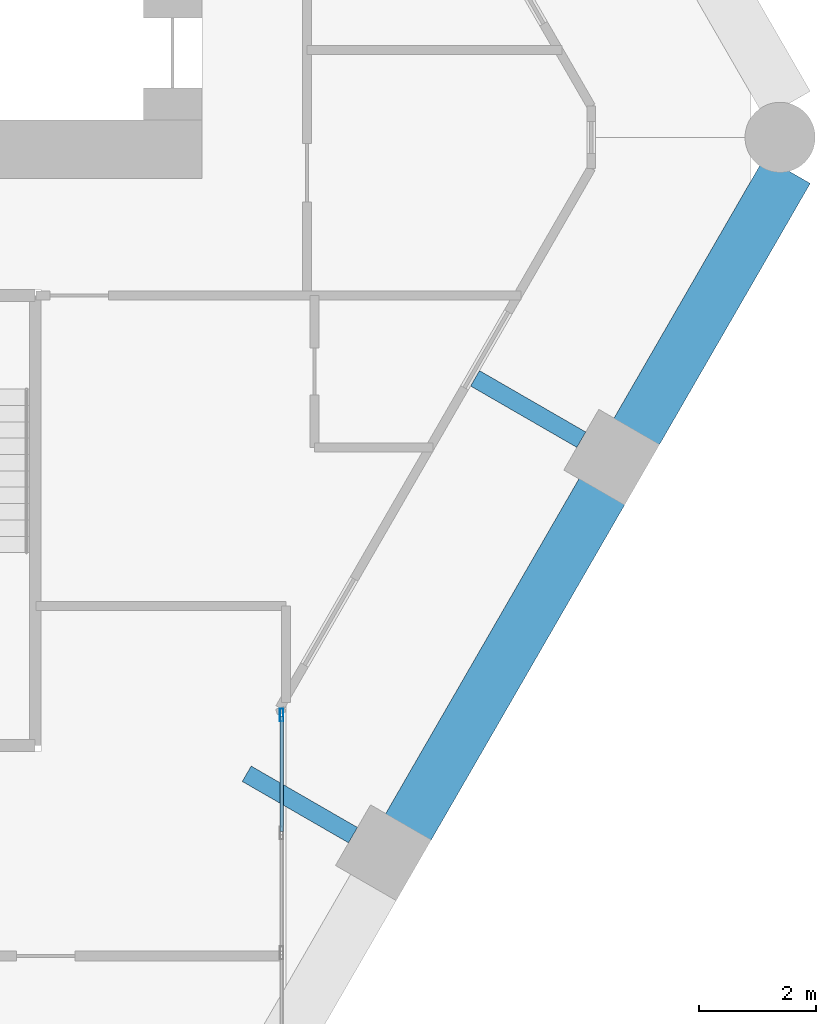
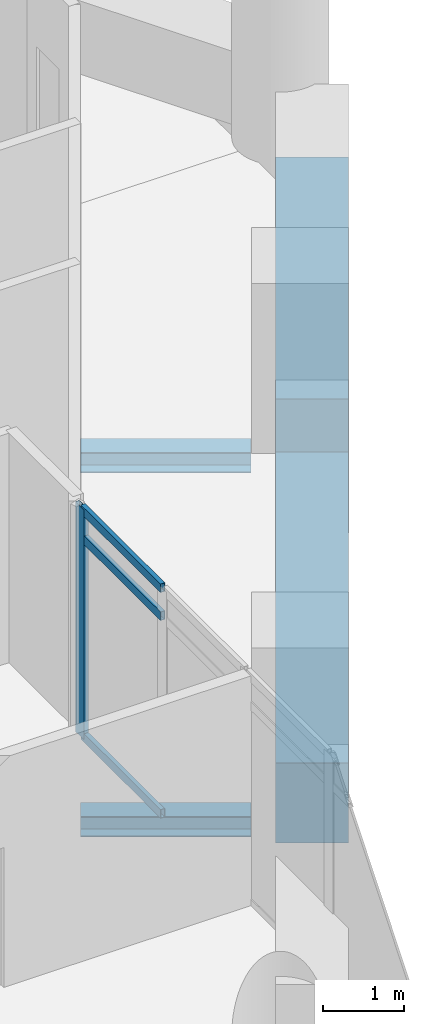
# One storey, part 11 of 28: 4 beams, 4 members, 1 element without a shape of its own.
"""IFC4 building model written with IfcOpenShell, lengths in metres."""

from ifc_helpers import new_model, si_unit, direction, frame, origin, origin_2d, place, context, subcontext, project, spatial, rectangle, hollow_rectangle, i_section, extrude, material, material_profile, profile_set, type_object, element, aggregate, save


model = new_model("IFC4")

# Units and contexts
model_context = context("Model", 3, precision=1e-05, world=origin(), true_north=direction((0.0, 1.0)))
body_context = subcontext(model_context, "Body", "Model", "MODEL_VIEW")
ifc_project = project(units=[si_unit("LENGTHUNIT", "METRE"), si_unit("AREAUNIT", "SQUARE_METRE"), si_unit("VOLUMEUNIT", "CUBIC_METRE"), si_unit("PLANEANGLEUNIT", "RADIAN"), si_unit("MASSUNIT", "GRAM", prefix="KILO")], contexts=[model_context])

# Site, building, storey
site_placement = place(None, origin())
site = spatial("IfcSite", under=ifc_project, at=site_placement, CompositionType="ELEMENT")
building_placement = place(site_placement, origin())
building = spatial("IfcBuilding", under=site, at=building_placement, Name="Ostrander Bayou Hotel Tower", CompositionType="ELEMENT")
storey_placement = place(building_placement, frame((0.0, 0.0, 134.75)))
storey = spatial("IfcBuildingStorey", under=building, at=storey_placement, Name="L33", CompositionType="ELEMENT", Elevation=134.75)

# Curtain wall, members
ifc_material_1 = material(Name="Aluminium and clear glass", Category="aluminium")
curtain_wall_type = type_object("IfcCurtainWallType", Name="CW-BAR glazed wall", PredefinedType="NOTDEFINED", material=ifc_material_1)
curtain_wall_placement = place(storey_placement, origin())
curtain_wall = element("IfcCurtainWall", 1, at=curtain_wall_placement, inside=storey, type_object=curtain_wall_type, Name="CW-BAR L33:SB3S:W", PredefinedType="NOTDEFINED")
ifc_material_2 = material(Name="Aluminium", Category="aluminium")
ifc_material_profile_1 = material_profile(ifc_material_2, hollow_rectangle(XDim=0.06005859375, YDim=0.219970703125, WallThickness=0.00390625, at=origin_2d()))
ifc_profile_set_1 = profile_set([ifc_material_profile_1], Name="Aluminium")
member_type_1 = type_object("IfcMemberType", Name="CW-BR mullion 60 x 220 mm", PredefinedType="MULLION", material=ifc_profile_set_1)
member_1_placement = place(storey_placement, frame((13.3671875, -10.877197265625, 0.0), z_axis=(0.0, 0.0, 1.0), x_axis=(1.0, 0.0, 0.0)))
member_1 = element("IfcMember", 2, at=member_1_placement, type_object=member_type_1, Name="CW-BAR mullion 1", PredefinedType="MULLION", context=body_context, shape_type="SweptSolid", body=[
    extrude(hollow_rectangle(XDim=0.06005859375, YDim=0.219970703125, WallThickness=0.00390625, at=origin_2d()), origin(), (0.0, 0.0, 1.0), 3.449951171875),
])
ifc_material_3 = material(Name="Aluminium", Category="aluminium")
ifc_material_profile_2 = material_profile(ifc_material_3, hollow_rectangle(XDim=0.06005859375, YDim=0.1298828125, WallThickness=0.00390625, at=origin_2d()))
ifc_profile_set_2 = profile_set([ifc_material_profile_2], Name="Aluminium")
member_type_2 = type_object("IfcMemberType", Name="CW-BR transom 60 x 130 mm", PredefinedType="USERDEFINED", material=ifc_profile_set_2)
member_2_placement = place(storey_placement, frame((13.3671875, -10.9072265625, 0.030029296875), z_axis=(0.0, -1.0, 0.0), x_axis=(1.0, 0.0, 0.0)))
member_2 = element("IfcMember", 3, at=member_2_placement, type_object=member_type_2, Name="CW-BAR transom 1.1", ObjectType="TRANSOM", PredefinedType="USERDEFINED", context=body_context, shape_type="SweptSolid", body=[
    extrude(hollow_rectangle(XDim=0.06005859375, YDim=0.1298828125, WallThickness=0.00390625, at=origin_2d()), origin(), (0.0, 0.0, 1.0), 1.960205078125),
])
member_3_placement = place(storey_placement, frame((13.3671875, -10.9072265625, 3.0), z_axis=(0.0, -1.0, 0.0), x_axis=(1.0, 0.0, 0.0)))
member_3 = element("IfcMember", 4, at=member_3_placement, type_object=member_type_2, Name="CW-BAR transom 1.2", ObjectType="TRANSOM", PredefinedType="USERDEFINED", context=body_context, shape_type="SweptSolid", body=[
    extrude(hollow_rectangle(XDim=0.06005859375, YDim=0.1298828125, WallThickness=0.00390625, at=origin_2d()), origin(), (0.0, 0.0, 1.0), 1.960205078125),
])
member_4_placement = place(storey_placement, frame((13.3671875, -10.9072265625, 3.419921875), z_axis=(0.0, -1.0, 0.0), x_axis=(1.0, 0.0, 0.0)))
member_4 = element("IfcMember", 5, at=member_4_placement, type_object=member_type_2, Name="CW-BAR transom 1.3", ObjectType="TRANSOM", PredefinedType="USERDEFINED", context=body_context, shape_type="SweptSolid", body=[
    extrude(hollow_rectangle(XDim=0.06005859375, YDim=0.1298828125, WallThickness=0.00390625, at=origin_2d()), origin(), (0.0, 0.0, 1.0), 1.960205078125),
])
aggregate(curtain_wall, [member_1, member_2, member_3, member_4])

# Beams
ifc_material_4 = material(Name="Steel ASTM A992", Category="steel")
ifc_material_profile_3 = material_profile(ifc_material_4, i_section(OverallWidth=0.3046875, OverallDepth=0.307861328125, WebThickness=0.010009765625, FlangeThickness=0.015380859375, at=origin_2d()))
ifc_profile_set_3 = profile_set([ifc_material_profile_3], Name="Steel ASTM A992")
beam_type_1 = type_object("IfcBeamType", Name="LB1 loggia bracket W12x65", PredefinedType="BEAM", material=ifc_profile_set_3)
for number, where, z_axis, x_axis, name in (
    (6, (14.587646484375, -12.933349609375, -0.453857421875), (-0.866009402589, 0.500027713859, 0.0), (-0.500027713859, -0.866009402589, 0.0), "LB1 L33 SE1"),
    (7, (18.494384765625, -6.166748046875, -0.453857421875), (-0.866009402589, 0.500027713859, 0.0), (-0.500027713859, -0.866009402589, 0.0), "LB1 L33 SE2"),
):
    element("IfcBeam", number, at=place(storey_placement, frame(where, z_axis=z_axis, x_axis=x_axis)), inside=storey, type_object=beam_type_1, Name=name, PredefinedType="BEAM", context=body_context, shape_type="SweptSolid", body=[
        extrude(i_section(OverallWidth=0.3046875, OverallDepth=0.307861328125, WebThickness=0.010009765625, FlangeThickness=0.015380859375, at=origin_2d()), origin(), (0.0, 0.0, 1.0), 2.10009765625),
    ])
ifc_material_5 = material(Name="Concrete f'c 70 MPa", Category="concrete")
ifc_material_profile_4 = material_profile(ifc_material_5, rectangle(XDim=0.89990234375, YDim=1.199951171875, at=origin_2d()))
ifc_profile_set_4 = profile_set([ifc_material_profile_4], Name="Concrete f'c 70 MPa")
beam_type_2 = type_object("IfcBeamType", Name="SP2 spandrel beam 900 x 1200 mm f'c 70 MPa", PredefinedType="SPANDREL", material=ifc_profile_set_4)
beam_1_placement = place(storey_placement, frame((15.522216796875, -12.814697265625, -0.60009765625), z_axis=(0.499999023957, 0.866025967302, 0.0), x_axis=(-0.866025967302, 0.499999023957, 0.0)))
element("IfcBeam", 8, at=beam_1_placement, inside=storey, type_object=beam_type_2, Name="SP2 L33 SE-2", PredefinedType="SPANDREL", context=body_context, shape_type="SweptSolid", body=[
    extrude(rectangle(XDim=0.89990234375, YDim=1.199951171875, at=origin_2d()), origin(), (0.0, 0.0, 1.0), 6.67333984375),
])
beam_2_placement = place(storey_placement, frame((19.428955078125, -6.048095703125, -0.60009765625), z_axis=(0.499996813733, 0.866027243369, 0.0), x_axis=(-0.866027243369, 0.499996813733, 0.0)))
element("IfcBeam", 9, at=beam_2_placement, inside=storey, type_object=beam_type_2, Name="SP2 L33 SE-3", PredefinedType="SPANDREL", context=body_context, shape_type="SweptSolid", body=[
    extrude(rectangle(XDim=0.89990234375, YDim=1.199951171875, at=origin_2d()), origin(), (0.0, 0.0, 1.0), 5.1865234375),
])

save(model, "model.ifc")
